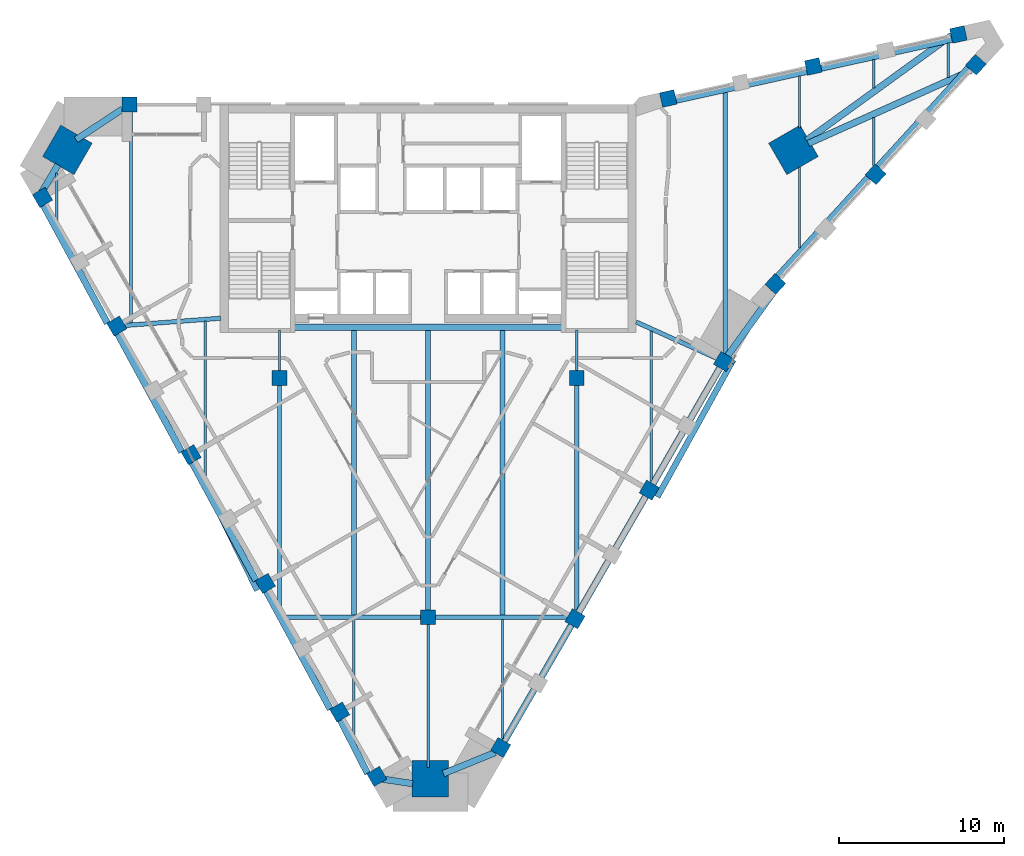
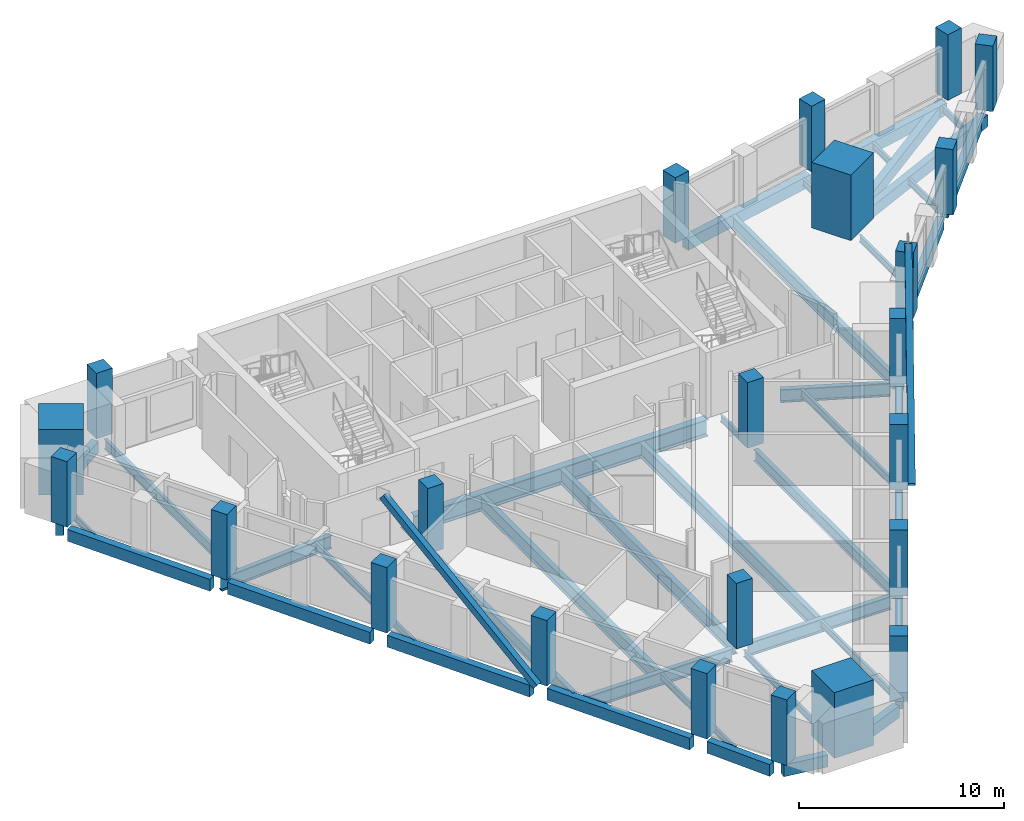
# One storey, part 1 of 8: 44 beams, 23 columns, 2 members.
"""IFC4 building model written with IfcOpenShell, lengths in metres."""

import ifcopenshell
import ifcopenshell.guid

model = None  # the IFC model being written
_history = None  # IfcOwnerHistory: only IFC2X3 demands one
_inside = {}  # id of a spatial element -> (the spatial element, [elements in it])
_under = {}  # id of a project, library or spatial element -> (it, [spatial elements below it])
_declared = {}  # id of a project -> (the project, [libraries it declares])
_typed = {}  # id of a type object -> (the type object, [elements of that type])
_made_of = {}  # id of a material, layer set ... -> (it, [elements and type objects made of it])


def new_model(schema):
    """Start an empty IFC model of exactly this schema.

    Asked for "IFC4X3", IfcOpenShell would pick the latest addendum, in which some entities
    have other attributes; the version numbers below select the first issue.
    IFC2X3 requires an IfcOwnerHistory on every rooted entity: one is made here for all.
    """
    global model, _history
    if schema == "IFC4X3":
        model = ifcopenshell.file(schema_version=(4, 3, 0, 0))
    else:
        model = ifcopenshell.file(schema=schema)
    _inside.clear()
    _under.clear()
    _declared.clear()
    _typed.clear()
    _made_of.clear()
    _history = None
    if model.schema == "IFC2X3":
        org = make("IfcOrganization", Name="unknown")
        user = make(
            "IfcPersonAndOrganization",
            ThePerson=make("IfcPerson", FamilyName="unknown"),
            TheOrganization=org,
        )
        app = make(
            "IfcApplication",
            ApplicationDeveloper=org,
            Version="unknown",
            ApplicationFullName="unknown",
            ApplicationIdentifier="unknown",
        )
        _history = make(
            "IfcOwnerHistory",
            OwningUser=user,
            OwningApplication=app,
            ChangeAction="ADDED",
            CreationDate=0,
        )
    return model


def make(cls, **values):
    """One entity of the class cls with the attributes given. An attribute that is None is left unset."""
    return model.create_entity(
        cls, **{name: value for name, value in values.items() if value is not None}
    )


def rooted(cls, **values):
    """An entity with a GlobalId (a new one), such as an element, a storey or a relation."""
    return make(cls, GlobalId=ifcopenshell.guid.new(), OwnerHistory=_history, **values)


def si_unit(unit_type, name, prefix=None):
    """IfcSIUnit, for example si_unit("LENGTHUNIT", "METRE", prefix="MILLI")."""
    return make("IfcSIUnit", UnitType=unit_type, Prefix=prefix, Name=name)


def assignment(units):
    """IfcUnitAssignment: the units of a project."""
    return None if units is None else make("IfcUnitAssignment", Units=units)


def point(xyz):
    """IfcCartesianPoint."""
    return None if xyz is None else make("IfcCartesianPoint", Coordinates=xyz)


def direction(xyz):
    """IfcDirection."""
    return None if xyz is None else make("IfcDirection", DirectionRatios=xyz)


def frame(location, z_axis=None, x_axis=None):
    """IfcAxis2Placement3D, a coordinate frame: its origin and axes. An axis left out is left unset."""
    return make(
        "IfcAxis2Placement3D",
        Location=point(location),
        Axis=direction(z_axis),
        RefDirection=direction(x_axis),
    )


def frame_2d(location, x_axis=None):
    """IfcAxis2Placement2D, a coordinate frame in the plane: its origin and x axis."""
    return make(
        "IfcAxis2Placement2D", Location=point(location), RefDirection=direction(x_axis)
    )


def origin():
    """The frame at (0, 0, 0) with its axes left unset."""
    return frame((0.0, 0.0, 0.0))


def origin_2d():
    """The frame at (0, 0) in the plane with its x axis left unset."""
    return frame_2d((0.0, 0.0))


def place(relative_to, where):
    """IfcLocalPlacement: puts the frame where relative to a parent placement (None: the world)."""
    return make(
        "IfcLocalPlacement", PlacementRelTo=relative_to, RelativePlacement=where
    )


def context(
    kind, dimensions, precision=None, world=None, true_north=None, identifier=None
):
    """IfcGeometricRepresentationContext, for example the 3D "Model" context."""
    return make(
        "IfcGeometricRepresentationContext",
        ContextIdentifier=identifier,
        ContextType=kind,
        CoordinateSpaceDimension=dimensions,
        Precision=precision,
        WorldCoordinateSystem=world,
        TrueNorth=true_north,
    )


def subcontext(parent, identifier, kind, view, scale=None):
    """IfcGeometricRepresentationSubContext, for example "Body" below "Model"."""
    return make(
        "IfcGeometricRepresentationSubContext",
        ContextIdentifier=identifier,
        ContextType=kind,
        ParentContext=parent,
        TargetScale=scale,
        TargetView=view,
    )


def project(units=None, contexts=None):
    """IfcProject with its units and contexts."""
    return rooted(
        "IfcProject",
        Name="project",
        RepresentationContexts=contexts,
        UnitsInContext=assignment(units),
    )


def spatial(cls, under=None, at=None, **own):
    """A site, building, storey or space (cls), placed at a placement, below another one or the project."""
    s = rooted(cls, ObjectPlacement=at, **own)
    if under is not None:
        _under.setdefault(under.id(), (under, []))[1].append(s)
    return s


def profile(cls, at=None, kind="AREA", **sizes):
    """A parametric profile (cls). Its sizes go by their IFC names, for example OverallWidth=200.0."""
    return make(cls, ProfileType=kind, Position=at, **sizes)


def rectangle(**sizes):
    """IfcRectangleProfileDef."""
    return profile("IfcRectangleProfileDef", **sizes)


def hollow_rectangle(**sizes):
    """IfcRectangleHollowProfileDef."""
    return profile("IfcRectangleHollowProfileDef", **sizes)


def i_section(**sizes):
    """IfcIShapeProfileDef."""
    return profile("IfcIShapeProfileDef", **sizes)


def extrude(swept, where, along, depth):
    """IfcExtrudedAreaSolid: the profile swept, set in the frame where, extruded along a direction by depth."""
    return make(
        "IfcExtrudedAreaSolid",
        SweptArea=swept,
        Position=where,
        ExtrudedDirection=direction(along),
        Depth=depth,
    )


def shape(context_of_items, identifier, shape_type, items):
    """IfcShapeRepresentation: the items that make up one representation, for example the "Body"."""
    return make(
        "IfcShapeRepresentation",
        ContextOfItems=context_of_items,
        RepresentationIdentifier=identifier,
        RepresentationType=shape_type,
        Items=items,
    )


def material(Name=None, Category=None):
    """IfcMaterial."""
    return make("IfcMaterial", Name=Name, Category=Category)


def material_profile(
    of_material, cross_section, Name=None, Category=None, Priority=None
):
    """IfcMaterialProfile: a cross section and its material."""
    return make(
        "IfcMaterialProfile",
        Name=Name,
        Material=of_material,
        Profile=cross_section,
        Priority=Priority,
        Category=Category,
    )


def profile_set(profiles, Name=None, composite=None):
    """IfcMaterialProfileSet."""
    return make(
        "IfcMaterialProfileSet",
        Name=Name,
        MaterialProfiles=profiles,
        CompositeProfile=composite,
    )


def made_of(thing, what):
    """Note that an element or type object is made of a material, layer set ...; save() writes the relation."""
    if what is not None:
        _made_of.setdefault(what.id(), (what, []))[1].append(thing)
    return thing


def type_object(cls, material=None, **own):
    """A type object (cls), such as IfcWallType, which elements share."""
    return made_of(rooted(cls, **own), material)


def element(
    cls,
    number,
    at=None,
    inside=None,
    cuts=None,
    type_object=None,
    material=None,
    context=None,
    identifier="Body",
    shape_type=None,
    held_by="IfcProductDefinitionShape",
    body=None,
    shapes=None,
    **own,
):
    """One element of the class cls, such as IfcWall. Its Tag is "e" and its number.

    at: its placement. inside: the storey or other place that contains it. cuts: it is an
    opening in that element (IfcRelVoidsElement). A single representation is given by context,
    identifier, shape_type and body (its items); several are given by shapes. held_by: the class
    of the entity that holds the representations. save() writes the other relations.
    """
    e = rooted(cls, Tag="e%d" % number, ObjectPlacement=at, **own)
    if body is not None:
        shapes = [shape(context, identifier, shape_type, body)]
    if shapes is not None:
        e.Representation = make(held_by, Representations=shapes)
    if inside is not None:
        _inside.setdefault(inside.id(), (inside, []))[1].append(e)
    if cuts is not None:
        rooted(
            "IfcRelVoidsElement", RelatingBuildingElement=cuts, RelatedOpeningElement=e
        )
    if type_object is not None:
        _typed.setdefault(type_object.id(), (type_object, []))[1].append(e)
    return made_of(e, material)


def aggregate(whole, parts):
    """IfcRelAggregates: a whole, such as a stair, and the parts it consists of."""
    return rooted("IfcRelAggregates", RelatingObject=whole, RelatedObjects=parts)


def save(model, path):
    """Write the relations noted so far, then the file.

    IfcRelAggregates (storeys below a building ...), IfcRelContainedInSpatialStructure (elements
    in a storey), IfcRelDefinesByType, IfcRelAssociatesMaterial and IfcRelDeclares: one each for
    every whole, place, type object, material and project.
    """
    for whole, parts in _under.values():
        aggregate(whole, parts)
    for where, things in _inside.values():
        rooted(
            "IfcRelContainedInSpatialStructure",
            RelatedElements=things,
            RelatingStructure=where,
        )
    for kind, things in _typed.values():
        rooted("IfcRelDefinesByType", RelatedObjects=things, RelatingType=kind)
    for what, things in _made_of.values():
        rooted("IfcRelAssociatesMaterial", RelatedObjects=things, RelatingMaterial=what)
    for by, libraries in _declared.values():
        rooted("IfcRelDeclares", RelatingContext=by, RelatedDefinitions=libraries)
    model.write(path)


model = new_model("IFC4")

# Units and contexts
model_context = context("Model", 3, precision=1e-05, world=origin(), true_north=direction((0.0, 1.0)))
body_context = subcontext(model_context, "Body", "Model", "MODEL_VIEW")
ifc_project = project(units=[si_unit("LENGTHUNIT", "METRE"), si_unit("AREAUNIT", "SQUARE_METRE"), si_unit("VOLUMEUNIT", "CUBIC_METRE"), si_unit("PLANEANGLEUNIT", "RADIAN"), si_unit("MASSUNIT", "GRAM", prefix="KILO")], contexts=[model_context])

# Site, building, storey
site_placement = place(None, origin())
site = spatial("IfcSite", under=ifc_project, at=site_placement, CompositionType="ELEMENT")
building_placement = place(site_placement, origin())
building = spatial("IfcBuilding", under=site, at=building_placement, Name="Calabash Gate Tower", CompositionType="ELEMENT")
storey_placement = place(building_placement, frame((0.0, 0.0, 263.800048828125)))
storey = spatial("IfcBuildingStorey", under=building, at=storey_placement, Name="L63", CompositionType="ELEMENT", Elevation=263.800048828125)

# Columns
ifc_material_1 = material(Name="Concrete C60/75", Category="concrete")
ifc_material_profile_1 = material_profile(ifc_material_1, rectangle(XDim=0.89990234375, YDim=0.89990234375, at=origin_2d()))
ifc_profile_set_1 = profile_set([ifc_material_profile_1], Name="Concrete C60/75")
column_type_1 = type_object("IfcColumnType", Name="Interior column RC 900x900 Concrete C60/75", PredefinedType="COLUMN", material=ifc_profile_set_1)
for number, where, z_axis, x_axis, name in (
    (1, (-9.0, 2.5, 0.0), (0.0, 0.0, 1.0), (1.0, 0.0, 0.0), "Interior column L63 I0"),
    (2, (9.0, 2.5, 0.0), (0.0, 0.0, 1.0), (1.0, 0.0, 0.0), "Interior column L63 I1"),
    (3, (0.0, -12.0, 0.0), (0.0, 0.0, 1.0), (1.0, 0.0, 0.0), "Interior column L63 I2"),
):
    element("IfcColumn", number, at=place(storey_placement, frame(where, z_axis=z_axis, x_axis=x_axis)), inside=storey, type_object=column_type_1, Name=name, PredefinedType="COLUMN", context=body_context, shape_type="SweptSolid", body=[
        extrude(rectangle(XDim=0.89990234375, YDim=0.89990234375, at=origin_2d()), origin(), (0.0, 0.0, 1.0), 3.89990234375),
    ])
ifc_material_2 = material(Name="Concrete C60/75", Category="concrete")
ifc_material_profile_2 = material_profile(ifc_material_2, rectangle(XDim=2.199951171875, YDim=2.199951171875, at=origin_2d()))
ifc_profile_set_2 = profile_set([ifc_material_profile_2], Name="Concrete C60/75")
column_type_2 = type_object("IfcColumnType", Name="Mega column RC 2200x2200 Concrete C60/75", PredefinedType="COLUMN", material=ifc_profile_set_2)
for number, where, z_axis, x_axis, name in (
    (4, (-21.85302734375, 16.30810546875, 0.0), (0.0, 0.0, 1.0), (0.866025421238, -0.49999996977, 0.0), "Mega column L63 NW"),
    (5, (22.1279296875, 16.30810546875, 0.0), (0.0, 0.0, 1.0), (-0.866025421238, -0.49999996977, 0.0), "Mega column L63 NE"),
    (6, (0.136962890625, -21.781005859375, 0.0), (0.0, 0.0, 1.0), (0.0, 1.0, 0.0), "Mega column L63 S"),
):
    element("IfcColumn", number, at=place(storey_placement, frame(where, z_axis=z_axis, x_axis=x_axis)), inside=storey, type_object=column_type_2, Name=name, PredefinedType="COLUMN", context=body_context, shape_type="SweptSolid", body=[
        extrude(rectangle(XDim=2.199951171875, YDim=2.199951171875, at=origin_2d()), origin(), (0.0, 0.0, 1.0), 3.89990234375),
    ])
ifc_material_3 = material(Name="Concrete C50/60", Category="concrete")
ifc_material_profile_3 = material_profile(ifc_material_3, rectangle(XDim=0.89990234375, YDim=0.89990234375, at=origin_2d()))
ifc_profile_set_3 = profile_set([ifc_material_profile_3], Name="Concrete C50/60")
column_type_3 = type_object("IfcColumnType", Name="Perimeter column RC 900x900 Concrete C50/60", PredefinedType="COLUMN", material=ifc_profile_set_3)
for number, where, z_axis, x_axis, name in (
    (7, (-23.360107421875, 13.428955078125, 0.0), (0.0, 0.0, 1.0), (0.499999984885, -0.866025412511, 0.0), "Perimeter column L63 P20"),
    (8, (-18.860107421875, 5.634033203125, 0.0), (0.0, 0.0, 1.0), (0.499999984885, -0.866025412511, 0.0), "Perimeter column L63 P00"),
    (9, (-14.360107421875, -2.159912109375, 0.0), (0.0, 0.0, 1.0), (0.499999984885, -0.866025412511, 0.0), "Perimeter column L63 P01"),
    (10, (-9.860107421875, -9.9541015625, 0.0), (0.0, 0.0, 1.0), (0.499999984885, -0.866025412511, 0.0), "Perimeter column L63 P02"),
    (11, (-5.360107421875, -17.748046875, 0.0), (0.0, 0.0, 1.0), (0.499999984885, -0.866025412511, 0.0), "Perimeter column L63 P03"),
    (12, (-3.110107421875, -21.64306640625, 0.0), (0.0, 0.0, 1.0), (0.499999984885, -0.866025412511, 0.0), "Perimeter column L63 P25"),
    (13, (4.39599609375, -19.89306640625, 0.0), (0.0, 0.0, 1.0), (0.5, 0.866025403784, 0.0), "Perimeter column L63 P08"),
    (14, (8.89599609375, -12.097900390625, 0.0), (0.0, 0.0, 1.0), (0.5, 0.866025403784, 0.0), "Perimeter column L63 P09"),
    (15, (13.39599609375, -4.303955078125, 0.0), (0.0, 0.0, 1.0), (0.5, 0.866025403784, 0.0), "Perimeter column L63 P10"),
    (16, (17.89599609375, 3.489990234375, 0.0), (0.0, 0.0, 1.0), (0.5, 0.866025403784, 0.0), "Perimeter column L63 P11"),
    (17, (21.031005859375, 8.18701171875, 0.0), (0.0, 0.0, 1.0), (0.67485604152, 0.737949404244, 0.0), "Perimeter column L63 P12"),
    (18, (27.10400390625, 14.825927734375, 0.0), (0.0, 0.0, 1.0), (0.67485604152, 0.737949404244, 0.0), "Perimeter column L63 P36"),
    (19, (33.177978515625, 21.468017578125, 0.0), (0.0, 0.0, 1.0), (0.67485604152, 0.737949404244, 0.0), "Perimeter column L63 P37"),
    (20, (32.12109375, 23.298095703125, 0.0), (0.0, 0.0, 1.0), (-0.976510951543, -0.215467773731, 0.0), "Perimeter column L63 P38"),
    (21, (23.3330078125, 21.35888671875, 0.0), (0.0, 0.0, 1.0), (-0.976510951543, -0.215467773731, 0.0), "Perimeter column L63 P39"),
    (22, (14.5439453125, 19.4189453125, 0.0), (0.0, 0.0, 1.0), (-0.976510951543, -0.215467773731, 0.0), "Perimeter column L63 P40"),
    (23, (-18.089111328125, 19.052978515625, 0.0), (0.0, 0.0, 1.0), (-1.0, 0.0, 0.0), "Perimeter column L63 P31"),
):
    element("IfcColumn", number, at=place(storey_placement, frame(where, z_axis=z_axis, x_axis=x_axis)), inside=storey, type_object=column_type_3, Name=name, PredefinedType="COLUMN", context=body_context, shape_type="SweptSolid", body=[
        extrude(rectangle(XDim=0.89990234375, YDim=0.89990234375, at=origin_2d()), origin(), (0.0, 0.0, 1.0), 3.89990234375),
    ])

# Beams
ifc_material_4 = material(Name="Concrete C50/60", Category="concrete")
ifc_material_profile_4 = material_profile(ifc_material_4, rectangle(XDim=0.39990234375, YDim=0.699951171875, at=origin_2d()))
ifc_profile_set_4 = profile_set([ifc_material_profile_4], Name="Concrete C50/60")
beam_type_1 = type_object("IfcBeamType", Name="Edge beam RC 400x700 Concrete C50/60", PredefinedType="BEAM", material=ifc_profile_set_4)
beam_1_placement = place(storey_placement, frame((-14.30908203125, -2.623046875, -0.52001953125), z_axis=(0.477013821139, -0.878895792709, 0.0), x_axis=(0.878895792709, 0.477013821139, 0.0)))
element("IfcBeam", 24, at=beam_1_placement, inside=storey, type_object=beam_type_1, Name="Edge beam L63 1", PredefinedType="BEAM", context=body_context, shape_type="SweptSolid", body=[
    extrude(rectangle(XDim=0.39990234375, YDim=0.699951171875, at=origin_2d()), origin(), (0.0, 0.0, 1.0), 8.146484375),
])
beam_2_placement = place(storey_placement, frame((-9.80908203125, -10.4189453125, -0.52001953125), z_axis=(0.477001257127, -0.878902611612, 0.0), x_axis=(0.878902611612, 0.477001257127, 0.0)))
element("IfcBeam", 25, at=beam_2_placement, inside=storey, type_object=beam_type_1, Name="Edge beam L63 2", PredefinedType="BEAM", context=body_context, shape_type="SweptSolid", body=[
    extrude(rectangle(XDim=0.39990234375, YDim=0.699951171875, at=origin_2d()), origin(), (0.0, 0.0, 1.0), 8.146728515625),
])
beam_3_placement = place(storey_placement, frame((-5.319091796875, -18.218994140625, -0.52001953125), z_axis=(0.453784468292, -0.891111472453, 0.0), x_axis=(0.891111472453, 0.453784468292, 0.0)))
element("IfcBeam", 26, at=beam_3_placement, inside=storey, type_object=beam_type_1, Name="Edge beam L63 3", PredefinedType="BEAM", context=body_context, shape_type="SweptSolid", body=[
    extrude(rectangle(XDim=0.39990234375, YDim=0.699951171875, at=origin_2d()), origin(), (0.0, 0.0, 1.0), 3.6494140625),
])
beam_4_placement = place(storey_placement, frame((-3.23291015625, -21.739013671875, -0.52001953125), z_axis=(0.989022584295, -0.147764433319, 0.0), x_axis=(0.147764433319, 0.989022584295, 0.0)))
element("IfcBeam", 27, at=beam_4_placement, inside=storey, type_object=beam_type_1, Name="Edge beam L63 4", PredefinedType="BEAM", context=body_context, shape_type="SweptSolid", body=[
    extrude(rectangle(XDim=0.39990234375, YDim=0.699951171875, at=origin_2d()), origin(), (0.0, 0.0, 1.0), 2.3212890625),
])
beam_5_placement = place(storey_placement, frame((0.9208984375, -21.47705078125, -0.52001953125), z_axis=(0.926059754836, 0.377376907711, 0.0), x_axis=(-0.377376907711, 0.926059754836, 0.0)))
element("IfcBeam", 28, at=beam_5_placement, inside=storey, type_object=beam_type_1, Name="Edge beam L63 5", PredefinedType="BEAM", context=body_context, shape_type="SweptSolid", body=[
    extrude(rectangle(XDim=0.39990234375, YDim=0.699951171875, at=origin_2d()), origin(), (0.0, 0.0, 1.0), 3.391845703125),
])
beam_6_placement = place(storey_placement, frame((4.47705078125, -19.756103515625, -0.52001953125), z_axis=(0.499832936549, 0.86612183643, 0.0), x_axis=(-0.86612183643, 0.499832936549, 0.0)))
element("IfcBeam", 29, at=beam_6_placement, inside=storey, type_object=beam_type_1, Name="Edge beam L63 6", PredefinedType="BEAM", context=body_context, shape_type="SweptSolid", body=[
    extrude(rectangle(XDim=0.39990234375, YDim=0.699951171875, at=origin_2d()), origin(), (0.0, 0.0, 1.0), 8.4169921875),
])
beam_7_placement = place(storey_placement, frame((8.97705078125, -11.9619140625, -0.52001953125), z_axis=(0.499845494019, 0.866114589479, 0.0), x_axis=(-0.866114589479, 0.499845494019, 0.0)))
element("IfcBeam", 30, at=beam_7_placement, inside=storey, type_object=beam_type_1, Name="Edge beam L63 7", PredefinedType="BEAM", context=body_context, shape_type="SweptSolid", body=[
    extrude(rectangle(XDim=0.39990234375, YDim=0.699951171875, at=origin_2d()), origin(), (0.0, 0.0, 1.0), 8.416748046875),
])
beam_8_placement = place(storey_placement, frame((13.47705078125, -4.1669921875, -0.52001953125), z_axis=(0.499883169583, 0.866092845351, 0.0), x_axis=(-0.866092845351, 0.499883169583, 0.0)))
element("IfcBeam", 31, at=beam_8_placement, inside=storey, type_object=beam_type_1, Name="Edge beam L63 8", PredefinedType="BEAM", context=body_context, shape_type="SweptSolid", body=[
    extrude(rectangle(XDim=0.39990234375, YDim=0.699951171875, at=origin_2d()), origin(), (0.0, 0.0, 1.0), 8.416015625),
])
beam_9_placement = place(storey_placement, frame((17.990966796875, 3.6201171875, -0.52001953125), z_axis=(0.584247251905, 0.811575719599, 0.0), x_axis=(-0.811575719599, 0.584247251905, 0.0)))
element("IfcBeam", 32, at=beam_9_placement, inside=storey, type_object=beam_type_1, Name="Edge beam L63 9", PredefinedType="BEAM", context=body_context, shape_type="SweptSolid", body=[
    extrude(rectangle(XDim=0.39990234375, YDim=0.699951171875, at=origin_2d()), origin(), (0.0, 0.0, 1.0), 5.035888671875),
])
beam_10_placement = place(storey_placement, frame((21.18701171875, 8.652099609375, -0.52001953125), z_axis=(0.674873802315, 0.737933161573, 0.0), x_axis=(-0.737933161573, 0.674873802315, 0.0)))
element("IfcBeam", 33, at=beam_10_placement, inside=storey, type_object=beam_type_1, Name="Edge beam L63 10", PredefinedType="BEAM", context=body_context, shape_type="SweptSolid", body=[
    extrude(rectangle(XDim=0.39990234375, YDim=0.699951171875, at=origin_2d()), origin(), (0.0, 0.0, 1.0), 8.099365234375),
])
beam_11_placement = place(storey_placement, frame((27.260009765625, 15.29296875, -0.52001953125), z_axis=(0.67486440312, 0.737941757459, 0.0), x_axis=(-0.737941757459, 0.67486440312, 0.0)))
element("IfcBeam", 34, at=beam_11_placement, inside=storey, type_object=beam_type_1, Name="Edge beam L63 11", PredefinedType="BEAM", context=body_context, shape_type="SweptSolid", body=[
    extrude(rectangle(XDim=0.39990234375, YDim=0.699951171875, at=origin_2d()), origin(), (0.0, 0.0, 1.0), 8.100830078125),
])
beam_12_placement = place(storey_placement, frame((32.902099609375, 21.126953125, -0.52001953125), z_axis=(-0.91234672257, -0.409418438539, 0.0), x_axis=(0.409418438539, -0.91234672257, 0.0)))
element("IfcBeam", 35, at=beam_12_placement, inside=storey, type_object=beam_type_1, Name="Edge beam L63 12", PredefinedType="BEAM", context=body_context, shape_type="SweptSolid", body=[
    extrude(rectangle(XDim=0.39990234375, YDim=0.699951171875, at=origin_2d()), origin(), (0.0, 0.0, 1.0), 10.8271484375),
])
beam_13_placement = place(storey_placement, frame((22.9169921875, 16.8798828125, -0.52001953125), z_axis=(0.80994802029, 0.586501666177, 0.0), x_axis=(-0.586501666177, 0.80994802029, 0.0)))
element("IfcBeam", 36, at=beam_13_placement, inside=storey, type_object=beam_type_1, Name="Edge beam L63 13", PredefinedType="BEAM", context=body_context, shape_type="SweptSolid", body=[
    extrude(rectangle(XDim=0.39990234375, YDim=0.699951171875, at=origin_2d()), origin(), (0.0, 0.0, 1.0), 10.847412109375),
])
beam_14_placement = place(storey_placement, frame((31.72705078125, 23.006103515625, -0.52001953125), z_axis=(-0.976492437334, -0.215551663945, 0.0), x_axis=(0.215551663945, -0.976492437334, 0.0)))
element("IfcBeam", 37, at=beam_14_placement, inside=storey, type_object=beam_type_1, Name="Edge beam L63 14", PredefinedType="BEAM", context=body_context, shape_type="SweptSolid", body=[
    extrude(rectangle(XDim=0.39990234375, YDim=0.699951171875, at=origin_2d()), origin(), (0.0, 0.0, 1.0), 8.1005859375),
])
beam_15_placement = place(storey_placement, frame((22.93603515625, 21.06591796875, -0.52001953125), z_axis=(-0.976517152373, -0.215439669332, 0.0), x_axis=(0.215439669332, -0.976517152373, 0.0)))
element("IfcBeam", 38, at=beam_15_placement, inside=storey, type_object=beam_type_1, Name="Edge beam L63 15", PredefinedType="BEAM", context=body_context, shape_type="SweptSolid", body=[
    extrude(rectangle(XDim=0.39990234375, YDim=0.699951171875, at=origin_2d()), origin(), (0.0, 0.0, 1.0), 8.09912109375),
])
beam_16_placement = place(storey_placement, frame((-18.512939453125, 18.780029296875, -0.52001953125), z_axis=(-0.834845571954, -0.550484215022, 0.0), x_axis=(0.550484215022, -0.834845571954, 0.0)))
element("IfcBeam", 39, at=beam_16_placement, inside=storey, type_object=beam_type_1, Name="Edge beam L63 16", PredefinedType="BEAM", context=body_context, shape_type="SweptSolid", body=[
    extrude(rectangle(XDim=0.39990234375, YDim=0.699951171875, at=origin_2d()), origin(), (0.0, 0.0, 1.0), 3.373291015625),
])
beam_17_placement = place(storey_placement, frame((-22.419921875, 15.39990234375, -0.52001953125), z_axis=(-0.512127778976, -0.858909272276, 0.0), x_axis=(0.858909272276, -0.512127778976, 0.0)))
element("IfcBeam", 40, at=beam_17_placement, inside=storey, type_object=beam_type_1, Name="Edge beam L63 17", PredefinedType="BEAM", context=body_context, shape_type="SweptSolid", body=[
    extrude(rectangle(XDim=0.39990234375, YDim=0.699951171875, at=origin_2d()), origin(), (0.0, 0.0, 1.0), 2.245849609375),
])
for number, where, z_axis, x_axis, name in (
    (41, (-23.30908203125, 12.962890625, -0.52001953125), (0.477013821139, -0.878895792709, 0.0), (0.878895792709, 0.477013821139, 0.0), "Edge beam L63 18"),
    (42, (-18.80908203125, 5.1689453125, -0.52001953125), (0.477013821139, -0.878895792709, 0.0), (0.878895792709, 0.477013821139, 0.0), "Edge beam L63 19"),
):
    element("IfcBeam", number, at=place(storey_placement, frame(where, z_axis=z_axis, x_axis=x_axis)), inside=storey, type_object=beam_type_1, Name=name, PredefinedType="BEAM", context=body_context, shape_type="SweptSolid", body=[
        extrude(rectangle(XDim=0.39990234375, YDim=0.699951171875, at=origin_2d()), origin(), (0.0, 0.0, 1.0), 8.146484375),
    ])
ifc_material_5 = material(Name="Steel ASTM A992 Gr50", Category="steel")
ifc_material_profile_5 = material_profile(ifc_material_5, i_section(OverallWidth=0.1396484375, OverallDepth=0.398681640625, WebThickness=0.00634765625, FlangeThickness=0.0087890625, FilletRadius=0.01025390625, at=origin_2d()))
ifc_profile_set_5 = profile_set([ifc_material_profile_5], Name="Steel ASTM A992 Gr50")
beam_type_2 = type_object("IfcBeamType", Name="Floor beam W16x26 ASTM A992 Gr50", PredefinedType="BEAM", material=ifc_profile_set_5)
beam_18_placement = place(storey_placement, frame((-22.5, 11.867919921875, -0.369140625), z_axis=(0.0, 1.0, 0.0), x_axis=(-1.0, 0.0, 0.0)))
element("IfcBeam", 43, at=beam_18_placement, inside=storey, type_object=beam_type_2, Name="Floor beam L63 1", PredefinedType="BEAM", context=body_context, shape_type="SweptSolid", body=[
    extrude(i_section(OverallWidth=0.1396484375, OverallDepth=0.398681640625, WebThickness=0.00634765625, FlangeThickness=0.0087890625, FilletRadius=0.01025390625, at=origin_2d()), origin(), (0.0, 0.0, 1.0), 3.029052734375),
])
beam_19_placement = place(storey_placement, frame((-9.0, 2.949951171875, -0.369140625), z_axis=(0.0, 1.0, 0.0), x_axis=(-1.0, 0.0, 0.0)))
element("IfcBeam", 44, at=beam_19_placement, inside=storey, type_object=beam_type_2, Name="Floor beam L63 5", PredefinedType="BEAM", context=body_context, shape_type="SweptSolid", body=[
    extrude(i_section(OverallWidth=0.1396484375, OverallDepth=0.398681640625, WebThickness=0.00634765625, FlangeThickness=0.0087890625, FilletRadius=0.01025390625, at=origin_2d()), origin(), (0.0, 0.0, 1.0), 2.453125),
])
beam_20_placement = place(storey_placement, frame((-4.5, -19.408935546875, -0.369140625), z_axis=(0.0, 1.0, 0.0), x_axis=(-1.0, 0.0, 0.0)))
element("IfcBeam", 45, at=beam_20_placement, inside=storey, type_object=beam_type_2, Name="Floor beam L63 6", PredefinedType="BEAM", context=body_context, shape_type="SweptSolid", body=[
    extrude(i_section(OverallWidth=0.1396484375, OverallDepth=0.398681640625, WebThickness=0.00634765625, FlangeThickness=0.0087890625, FilletRadius=0.01025390625, at=origin_2d()), origin(), (0.0, 0.0, 1.0), 7.27587890625),
])
beam_21_placement = place(storey_placement, frame((0.0, -21.093017578125, -0.369140625), z_axis=(0.0, 1.0, 0.0), x_axis=(-1.0, 0.0, 0.0)))
element("IfcBeam", 46, at=beam_21_placement, inside=storey, type_object=beam_type_2, Name="Floor beam L63 8", PredefinedType="BEAM", context=body_context, shape_type="SweptSolid", body=[
    extrude(i_section(OverallWidth=0.1396484375, OverallDepth=0.398681640625, WebThickness=0.00634765625, FlangeThickness=0.0087890625, FilletRadius=0.01025390625, at=origin_2d()), origin(), (0.0, 0.0, 1.0), 8.64306640625),
])
beam_22_placement = place(storey_placement, frame((4.5, -19.343017578125, -0.369140625), z_axis=(0.0, 1.0, 0.0), x_axis=(-1.0, 0.0, 0.0)))
element("IfcBeam", 47, at=beam_22_placement, inside=storey, type_object=beam_type_2, Name="Floor beam L63 10", PredefinedType="BEAM", context=body_context, shape_type="SweptSolid", body=[
    extrude(i_section(OverallWidth=0.1396484375, OverallDepth=0.398681640625, WebThickness=0.00634765625, FlangeThickness=0.0087890625, FilletRadius=0.01025390625, at=origin_2d()), origin(), (0.0, 0.0, 1.0), 7.2099609375),
])
beam_23_placement = place(storey_placement, frame((9.0, 2.949951171875, -0.369140625), z_axis=(0.0, 1.0, 0.0), x_axis=(-1.0, 0.0, 0.0)))
element("IfcBeam", 48, at=beam_23_placement, inside=storey, type_object=beam_type_2, Name="Floor beam L63 13", PredefinedType="BEAM", context=body_context, shape_type="SweptSolid", body=[
    extrude(i_section(OverallWidth=0.1396484375, OverallDepth=0.398681640625, WebThickness=0.00634765625, FlangeThickness=0.0087890625, FilletRadius=0.01025390625, at=origin_2d()), origin(), (0.0, 0.0, 1.0), 2.453125),
])
beam_24_placement = place(storey_placement, frame((22.5, 10.3720703125, -0.369140625), z_axis=(0.0, 1.0, 0.0), x_axis=(-1.0, 0.0, 0.0)))
element("IfcBeam", 49, at=beam_24_placement, inside=storey, type_object=beam_type_2, Name="Floor beam L63 16", PredefinedType="BEAM", context=body_context, shape_type="SweptSolid", body=[
    extrude(i_section(OverallWidth=0.1396484375, OverallDepth=0.398681640625, WebThickness=0.00634765625, FlangeThickness=0.0087890625, FilletRadius=0.01025390625, at=origin_2d()), origin(), (0.0, 0.0, 1.0), 4.89501953125),
])
beam_25_placement = place(storey_placement, frame((22.5, 17.635986328125, -0.369140625), z_axis=(0.0, 1.0, 0.0), x_axis=(-1.0, 0.0, 0.0)))
element("IfcBeam", 50, at=beam_25_placement, inside=storey, type_object=beam_type_2, Name="Floor beam L63 17", PredefinedType="BEAM", context=body_context, shape_type="SweptSolid", body=[
    extrude(i_section(OverallWidth=0.1396484375, OverallDepth=0.398681640625, WebThickness=0.00634765625, FlangeThickness=0.0087890625, FilletRadius=0.01025390625, at=origin_2d()), origin(), (0.0, 0.0, 1.0), 3.1611328125),
])
beam_26_placement = place(storey_placement, frame((27.0, 15.35693359375, -0.369140625), z_axis=(0.0, 1.0, 0.0), x_axis=(-1.0, 0.0, 0.0)))
element("IfcBeam", 51, at=beam_26_placement, inside=storey, type_object=beam_type_2, Name="Floor beam L63 18", PredefinedType="BEAM", context=body_context, shape_type="SweptSolid", body=[
    extrude(i_section(OverallWidth=0.1396484375, OverallDepth=0.398681640625, WebThickness=0.00634765625, FlangeThickness=0.0087890625, FilletRadius=0.01025390625, at=origin_2d()), origin(), (0.0, 0.0, 1.0), 2.923095703125),
])
beam_27_placement = place(storey_placement, frame((27.0, 20.052001953125, -0.369140625), z_axis=(0.0, 1.0, 0.0), x_axis=(-1.0, 0.0, 0.0)))
element("IfcBeam", 52, at=beam_27_placement, inside=storey, type_object=beam_type_2, Name="Floor beam L63 19", PredefinedType="BEAM", context=body_context, shape_type="SweptSolid", body=[
    extrude(i_section(OverallWidth=0.1396484375, OverallDepth=0.398681640625, WebThickness=0.00634765625, FlangeThickness=0.0087890625, FilletRadius=0.01025390625, at=origin_2d()), origin(), (0.0, 0.0, 1.0), 1.738037109375),
])
beam_28_placement = place(storey_placement, frame((31.5, 20.693115234375, -0.369140625), z_axis=(0.0, 1.0, 0.0), x_axis=(-1.0, 0.0, 0.0)))
element("IfcBeam", 53, at=beam_28_placement, inside=storey, type_object=beam_type_2, Name="Floor beam L63 20", PredefinedType="BEAM", context=body_context, shape_type="SweptSolid", body=[
    extrude(i_section(OverallWidth=0.1396484375, OverallDepth=0.398681640625, WebThickness=0.00634765625, FlangeThickness=0.0087890625, FilletRadius=0.01025390625, at=origin_2d()), origin(), (0.0, 0.0, 1.0), 2.08984375),
])
ifc_material_6 = material(Name="Steel ASTM A992 Gr50", Category="steel")
ifc_material_profile_6 = material_profile(ifc_material_6, i_section(OverallWidth=0.15234375, OverallDepth=0.44970703125, WebThickness=0.007568359375, FlangeThickness=0.0107421875, FilletRadius=0.01025390625, at=origin_2d()))
ifc_profile_set_6 = profile_set([ifc_material_profile_6], Name="Steel ASTM A992 Gr50")
beam_type_3 = type_object("IfcBeamType", Name="Floor beam W18x35 ASTM A992 Gr50", PredefinedType="BEAM", material=ifc_profile_set_6)
beam_29_placement = place(storey_placement, frame((-13.5, -3.720947265625, -0.39306640625), z_axis=(0.0, 1.0, 0.0), x_axis=(-1.0, 0.0, 0.0)))
element("IfcBeam", 54, at=beam_29_placement, inside=storey, type_object=beam_type_3, Name="Floor beam L63 3", PredefinedType="BEAM", context=body_context, shape_type="SweptSolid", body=[
    extrude(i_section(OverallWidth=0.15234375, OverallDepth=0.44970703125, WebThickness=0.007568359375, FlangeThickness=0.0107421875, FilletRadius=0.01025390625, at=origin_2d()), origin(), (0.0, 0.0, 1.0), 9.64892578125),
])
beam_30_placement = place(storey_placement, frame((13.5, -3.757080078125, -0.39306640625), z_axis=(0.0, 1.0, 0.0), x_axis=(-1.0, 0.0, 0.0)))
element("IfcBeam", 55, at=beam_30_placement, inside=storey, type_object=beam_type_3, Name="Floor beam L63 14", PredefinedType="BEAM", context=body_context, shape_type="SweptSolid", body=[
    extrude(i_section(OverallWidth=0.15234375, OverallDepth=0.44970703125, WebThickness=0.007568359375, FlangeThickness=0.0107421875, FilletRadius=0.01025390625, at=origin_2d()), origin(), (0.0, 0.0, 1.0), 9.108154296875),
])
ifc_material_7 = material(Name="Steel ASTM A992 Gr50", Category="steel")
ifc_material_profile_7 = material_profile(ifc_material_7, i_section(OverallWidth=0.1787109375, OverallDepth=0.60205078125, WebThickness=0.010986328125, FlangeThickness=0.014892578125, FilletRadius=0.0126953125, at=origin_2d()))
ifc_profile_set_7 = profile_set([ifc_material_profile_7], Name="Steel ASTM A992 Gr50")
beam_type_4 = type_object("IfcBeamType", Name="Floor beam W24x62 ASTM A992 Gr50", PredefinedType="BEAM", material=ifc_profile_set_7)
beam_31_placement = place(storey_placement, frame((-18.0, 5.81103515625, -0.470947265625), z_axis=(0.0, 1.0, 0.0), x_axis=(-1.0, 0.0, 0.0)))
element("IfcBeam", 56, at=beam_31_placement, inside=storey, type_object=beam_type_4, Name="Floor beam L63 2", PredefinedType="BEAM", context=body_context, shape_type="SweptSolid", body=[
    extrude(i_section(OverallWidth=0.1787109375, OverallDepth=0.60205078125, WebThickness=0.010986328125, FlangeThickness=0.014892578125, FilletRadius=0.0126953125, at=origin_2d()), origin(), (0.0, 0.0, 1.0), 12.825927734375),
])
ifc_material_8 = material(Name="Steel ASTM A992 Gr50", Category="steel")
ifc_material_profile_8 = material_profile(ifc_material_8, i_section(OverallWidth=0.25390625, OverallDepth=0.67822265625, WebThickness=0.01171875, FlangeThickness=0.016357421875, FilletRadius=0.01513671875, at=origin_2d()))
ifc_profile_set_8 = profile_set([ifc_material_profile_8], Name="Steel ASTM A992 Gr50")
beam_type_5 = type_object("IfcBeamType", Name="Floor beam W27x84 ASTM A992 Gr50", PredefinedType="BEAM", material=ifc_profile_set_8)
beam_32_placement = place(storey_placement, frame((-9.0, -11.512939453125, -0.509033203125), z_axis=(0.0, 1.0, 0.0), x_axis=(-1.0, 0.0, 0.0)))
element("IfcBeam", 57, at=beam_32_placement, inside=storey, type_object=beam_type_5, Name="Floor beam L63 4", PredefinedType="BEAM", context=body_context, shape_type="SweptSolid", body=[
    extrude(i_section(OverallWidth=0.25390625, OverallDepth=0.67822265625, WebThickness=0.01171875, FlangeThickness=0.016357421875, FilletRadius=0.01513671875, at=origin_2d()), origin(), (0.0, 0.0, 1.0), 13.56298828125),
])
beam_33_placement = place(storey_placement, frame((9.0, -11.551025390625, -0.509033203125), z_axis=(0.0, 1.0, 0.0), x_axis=(-1.0, 0.0, 0.0)))
element("IfcBeam", 58, at=beam_33_placement, inside=storey, type_object=beam_type_5, Name="Floor beam L63 12", PredefinedType="BEAM", context=body_context, shape_type="SweptSolid", body=[
    extrude(i_section(OverallWidth=0.25390625, OverallDepth=0.67822265625, WebThickness=0.01171875, FlangeThickness=0.016357421875, FilletRadius=0.01513671875, at=origin_2d()), origin(), (0.0, 0.0, 1.0), 13.60107421875),
])
ifc_material_9 = material(Name="Steel ASTM A992 Gr50", Category="steel")
ifc_material_profile_9 = material_profile(ifc_material_9, i_section(OverallWidth=0.2666015625, OverallDepth=0.7568359375, WebThickness=0.013916015625, FlangeThickness=0.019287109375, FilletRadius=0.0166015625, at=origin_2d()))
ifc_profile_set_9 = profile_set([ifc_material_profile_9], Name="Steel ASTM A992 Gr50")
beam_type_6 = type_object("IfcBeamType", Name="Floor beam W30x108 ASTM A992 Gr50", PredefinedType="BEAM", material=ifc_profile_set_9)
beam_34_placement = place(storey_placement, frame((18.0, 3.95703125, -0.548095703125), z_axis=(0.0, 1.0, 0.0), x_axis=(-1.0, 0.0, 0.0)))
element("IfcBeam", 59, at=beam_34_placement, inside=storey, type_object=beam_type_6, Name="Floor beam L63 15", PredefinedType="BEAM", context=body_context, shape_type="SweptSolid", body=[
    extrude(i_section(OverallWidth=0.2666015625, OverallDepth=0.7568359375, WebThickness=0.013916015625, FlangeThickness=0.019287109375, FilletRadius=0.0166015625, at=origin_2d()), origin(), (0.0, 0.0, 1.0), 15.846923828125),
])
ifc_material_10 = material(Name="Steel ASTM A992 Gr50", Category="steel")
ifc_material_profile_10 = material_profile(ifc_material_10, i_section(OverallWidth=0.2919921875, OverallDepth=0.845703125, WebThickness=0.015380859375, FlangeThickness=0.0244140625, FilletRadius=0.017822265625, at=origin_2d()))
ifc_profile_set_10 = profile_set([ifc_material_profile_10], Name="Steel ASTM A992 Gr50")
beam_type_7 = type_object("IfcBeamType", Name="Floor beam W33x141 ASTM A992 Gr50", PredefinedType="BEAM", material=ifc_profile_set_10)
beam_35_placement = place(storey_placement, frame((-4.5, -11.866943359375, -0.593017578125), z_axis=(0.0, 1.0, 0.0), x_axis=(-1.0, 0.0, 0.0)))
element("IfcBeam", 60, at=beam_35_placement, inside=storey, type_object=beam_type_7, Name="Floor beam L63 7", PredefinedType="BEAM", context=body_context, shape_type="SweptSolid", body=[
    extrude(i_section(OverallWidth=0.2919921875, OverallDepth=0.845703125, WebThickness=0.015380859375, FlangeThickness=0.0244140625, FilletRadius=0.017822265625, at=origin_2d()), origin(), (0.0, 0.0, 1.0), 17.218994140625),
])
beam_36_placement = place(storey_placement, frame((0.0, -11.550048828125, -0.593017578125), z_axis=(0.0, 1.0, 0.0), x_axis=(-1.0, 0.0, 0.0)))
element("IfcBeam", 61, at=beam_36_placement, inside=storey, type_object=beam_type_7, Name="Floor beam L63 9", PredefinedType="BEAM", context=body_context, shape_type="SweptSolid", body=[
    extrude(i_section(OverallWidth=0.2919921875, OverallDepth=0.845703125, WebThickness=0.015380859375, FlangeThickness=0.0244140625, FilletRadius=0.017822265625, at=origin_2d()), origin(), (0.0, 0.0, 1.0), 16.902099609375),
])
beam_37_placement = place(storey_placement, frame((4.5, -11.866943359375, -0.593017578125), z_axis=(0.0, 1.0, 0.0), x_axis=(-1.0, 0.0, 0.0)))
element("IfcBeam", 62, at=beam_37_placement, inside=storey, type_object=beam_type_7, Name="Floor beam L63 11", PredefinedType="BEAM", context=body_context, shape_type="SweptSolid", body=[
    extrude(i_section(OverallWidth=0.2919921875, OverallDepth=0.845703125, WebThickness=0.015380859375, FlangeThickness=0.0244140625, FilletRadius=0.017822265625, at=origin_2d()), origin(), (0.0, 0.0, 1.0), 17.218994140625),
])
ifc_material_11 = material(Name="Steel ASTM A992 Gr50", Category="steel")
ifc_material_profile_11 = material_profile(ifc_material_11, i_section(OverallWidth=0.2666015625, OverallDepth=0.77978515625, WebThickness=0.0166015625, FlangeThickness=0.030029296875, FilletRadius=0.0166015625, at=origin_2d()))
ifc_profile_set_11 = profile_set([ifc_material_profile_11], Name="Steel ASTM A992 Gr50")
beam_type_8 = type_object("IfcBeamType", Name="Girder W30x148 ASTM A992 Gr50", PredefinedType="BEAM", material=ifc_profile_set_11)
beam_38_placement = place(storey_placement, frame((-19.0419921875, 5.62109375, -0.56005859375), z_axis=(0.997159273093, 0.075321869895, 0.0), x_axis=(-0.075321869895, 0.997159273093, 0.0)))
element("IfcBeam", 63, at=beam_38_placement, inside=storey, type_object=beam_type_8, Name="Girder L63 2", PredefinedType="BEAM", context=body_context, shape_type="SweptSolid", body=[
    extrude(i_section(OverallWidth=0.2666015625, OverallDepth=0.77978515625, WebThickness=0.0166015625, FlangeThickness=0.030029296875, FilletRadius=0.0166015625, at=origin_2d()), origin(), (0.0, 0.0, 1.0), 6.492431640625),
])
beam_39_placement = place(storey_placement, frame((17.512939453125, 3.6630859375, -0.56005859375), z_axis=(-0.911350322238, 0.411631619481, 0.0), x_axis=(-0.411631619481, -0.911350322238, 0.0)))
element("IfcBeam", 64, at=beam_39_placement, inside=storey, type_object=beam_type_8, Name="Girder L63 3", PredefinedType="BEAM", context=body_context, shape_type="SweptSolid", body=[
    extrude(i_section(OverallWidth=0.2666015625, OverallDepth=0.77978515625, WebThickness=0.0166015625, FlangeThickness=0.030029296875, FilletRadius=0.0166015625, at=origin_2d()), origin(), (0.0, 0.0, 1.0), 5.390625),
])
beam_40_placement = place(storey_placement, frame((-8.748046875, -12.0, -0.56005859375), z_axis=(1.0, 0.0, 0.0), x_axis=(0.0, 1.0, 0.0)))
element("IfcBeam", 65, at=beam_40_placement, inside=storey, type_object=beam_type_8, Name="Girder L63 4", PredefinedType="BEAM", context=body_context, shape_type="SweptSolid", body=[
    extrude(i_section(OverallWidth=0.2666015625, OverallDepth=0.77978515625, WebThickness=0.0166015625, FlangeThickness=0.030029296875, FilletRadius=0.0166015625, at=origin_2d()), origin(), (0.0, 0.0, 1.0), 8.298095703125),
])
beam_41_placement = place(storey_placement, frame((0.449951171875, -12.0, -0.56005859375), z_axis=(1.0, 0.0, 0.0), x_axis=(0.0, 1.0, 0.0)))
element("IfcBeam", 66, at=beam_41_placement, inside=storey, type_object=beam_type_8, Name="Girder L63 5", PredefinedType="BEAM", context=body_context, shape_type="SweptSolid", body=[
    extrude(i_section(OverallWidth=0.2666015625, OverallDepth=0.77978515625, WebThickness=0.0166015625, FlangeThickness=0.030029296875, FilletRadius=0.0166015625, at=origin_2d()), origin(), (0.0, 0.0, 1.0), 8.01611328125),
])
ifc_material_12 = material(Name="Steel ASTM A992 Gr50", Category="steel")
ifc_material_profile_12 = material_profile(ifc_material_12, i_section(OverallWidth=0.4013671875, OverallDepth=1.000732421875, WebThickness=0.01904296875, FlangeThickness=0.0361328125, FilletRadius=0.030029296875, at=origin_2d()))
ifc_profile_set_12 = profile_set([ifc_material_profile_12], Name="Steel ASTM A992 Gr50")
beam_type_9 = type_object("IfcBeamType", Name="Girder W40x249 ASTM A992 Gr50", PredefinedType="BEAM", material=ifc_profile_set_12)
beam_42_placement = place(storey_placement, frame((-8.25, 5.552978515625, -0.670166015625), z_axis=(1.0, 0.0, 0.0), x_axis=(0.0, 1.0, 0.0)))
element("IfcBeam", 67, at=beam_42_placement, inside=storey, type_object=beam_type_9, Name="Girder L63 1", PredefinedType="BEAM", context=body_context, shape_type="SweptSolid", body=[
    extrude(i_section(OverallWidth=0.4013671875, OverallDepth=1.000732421875, WebThickness=0.01904296875, FlangeThickness=0.0361328125, FilletRadius=0.030029296875, at=origin_2d()), origin(), (0.0, 0.0, 1.0), 16.5),
])

# Members
ifc_material_13 = material(Name="Steel ASTM A500 Gr C", Category="steel")
ifc_material_profile_13 = material_profile(ifc_material_13, hollow_rectangle(XDim=0.355712890625, YDim=0.355712890625, WallThickness=0.015869140625, at=origin_2d()))
ifc_profile_set_13 = profile_set([ifc_material_profile_13], Name="Steel ASTM A500 Gr C")
member_type = type_object("IfcMemberType", Name="Mega-brace HSS14X14X.625 ASTM A500 Gr C", PredefinedType="BRACE", material=ifc_profile_set_13)
member_1_placement = place(storey_placement, frame((-10.4033203125, -10.26806640625, 0.0), z_axis=(-0.334321012906, 0.678490051241, 0.654125913488), x_axis=(-0.897015998175, -0.441998075808, 0.0)))
element("IfcMember", 68, at=member_1_placement, inside=storey, type_object=member_type, Name="Mega-brace SW Z5 39", PredefinedType="BRACE", context=body_context, shape_type="SweptSolid", body=[
    extrude(hollow_rectangle(XDim=0.355712890625, YDim=0.355712890625, WallThickness=0.015869140625, at=origin_2d()), origin(), (0.0, 0.0, 1.0), 11.92431640625),
])
member_2_placement = place(storey_placement, frame((13.940185546875, -4.617919921875, 0.0), z_axis=(0.370480897894, 0.669413151052, 0.643917648069), x_axis=(-0.874941439426, 0.484228745093, 0.0)))
element("IfcMember", 69, at=member_2_placement, inside=storey, type_object=member_type, Name="Mega-brace SE Z5 44", PredefinedType="BRACE", context=body_context, shape_type="SweptSolid", body=[
    extrude(hollow_rectangle(XDim=0.355712890625, YDim=0.355712890625, WallThickness=0.015869140625, at=origin_2d()), origin(), (0.0, 0.0, 1.0), 12.113525390625),
])

save(model, "model.ifc")
